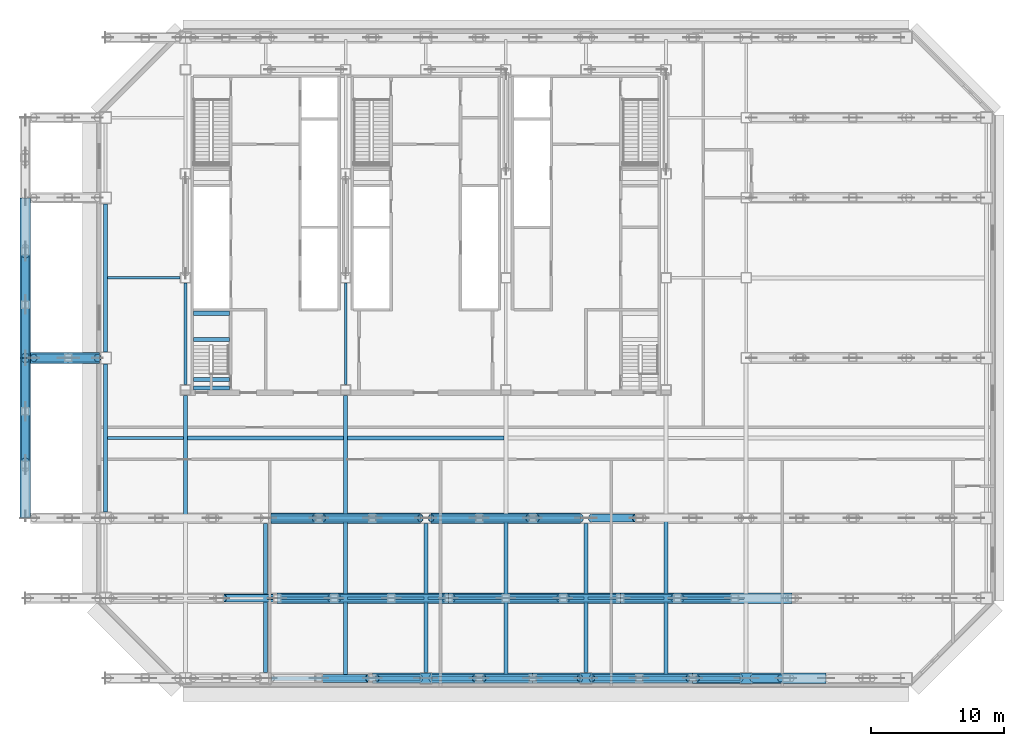
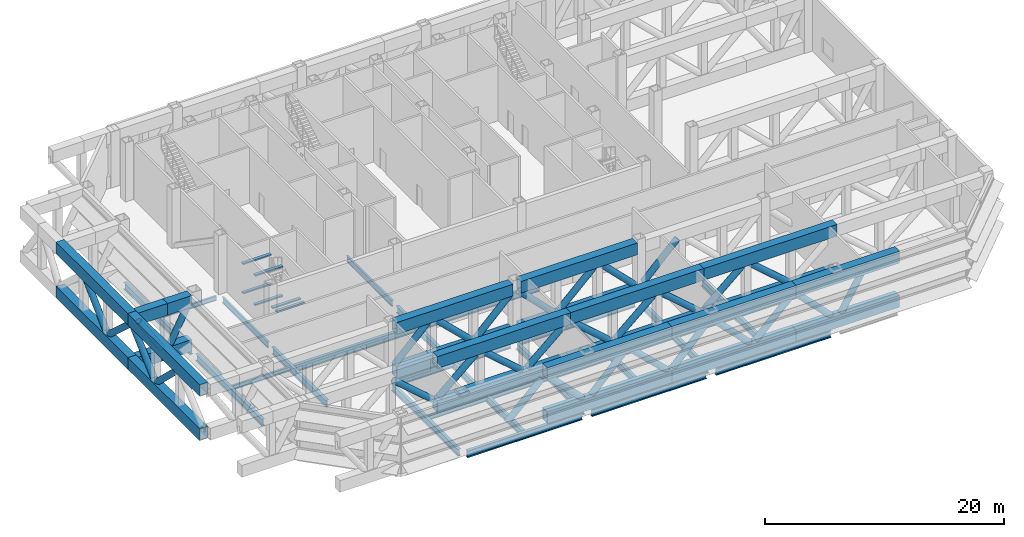
# One storey, part 2 of 17: 56 beams, 31 members.
"""IFC4 building model written with IfcOpenShell, lengths in metres."""

import ifcopenshell
import ifcopenshell.guid

model = None  # the IFC model being written
_history = None  # IfcOwnerHistory: only IFC2X3 demands one
_inside = {}  # id of a spatial element -> (the spatial element, [elements in it])
_under = {}  # id of a project, library or spatial element -> (it, [spatial elements below it])
_declared = {}  # id of a project -> (the project, [libraries it declares])
_typed = {}  # id of a type object -> (the type object, [elements of that type])
_made_of = {}  # id of a material, layer set ... -> (it, [elements and type objects made of it])


def new_model(schema):
    """Start an empty IFC model of exactly this schema.

    Asked for "IFC4X3", IfcOpenShell would pick the latest addendum, in which some entities
    have other attributes; the version numbers below select the first issue.
    IFC2X3 requires an IfcOwnerHistory on every rooted entity: one is made here for all.
    """
    global model, _history
    if schema == "IFC4X3":
        model = ifcopenshell.file(schema_version=(4, 3, 0, 0))
    else:
        model = ifcopenshell.file(schema=schema)
    _inside.clear()
    _under.clear()
    _declared.clear()
    _typed.clear()
    _made_of.clear()
    _history = None
    if model.schema == "IFC2X3":
        org = make("IfcOrganization", Name="unknown")
        user = make(
            "IfcPersonAndOrganization",
            ThePerson=make("IfcPerson", FamilyName="unknown"),
            TheOrganization=org,
        )
        app = make(
            "IfcApplication",
            ApplicationDeveloper=org,
            Version="unknown",
            ApplicationFullName="unknown",
            ApplicationIdentifier="unknown",
        )
        _history = make(
            "IfcOwnerHistory",
            OwningUser=user,
            OwningApplication=app,
            ChangeAction="ADDED",
            CreationDate=0,
        )
    return model


def make(cls, **values):
    """One entity of the class cls with the attributes given. An attribute that is None is left unset."""
    return model.create_entity(
        cls, **{name: value for name, value in values.items() if value is not None}
    )


def rooted(cls, **values):
    """An entity with a GlobalId (a new one), such as an element, a storey or a relation."""
    return make(cls, GlobalId=ifcopenshell.guid.new(), OwnerHistory=_history, **values)


def si_unit(unit_type, name, prefix=None):
    """IfcSIUnit, for example si_unit("LENGTHUNIT", "METRE", prefix="MILLI")."""
    return make("IfcSIUnit", UnitType=unit_type, Prefix=prefix, Name=name)


def assignment(units):
    """IfcUnitAssignment: the units of a project."""
    return None if units is None else make("IfcUnitAssignment", Units=units)


def point(xyz):
    """IfcCartesianPoint."""
    return None if xyz is None else make("IfcCartesianPoint", Coordinates=xyz)


def direction(xyz):
    """IfcDirection."""
    return None if xyz is None else make("IfcDirection", DirectionRatios=xyz)


def frame(location, z_axis=None, x_axis=None):
    """IfcAxis2Placement3D, a coordinate frame: its origin and axes. An axis left out is left unset."""
    return make(
        "IfcAxis2Placement3D",
        Location=point(location),
        Axis=direction(z_axis),
        RefDirection=direction(x_axis),
    )


def frame_2d(location, x_axis=None):
    """IfcAxis2Placement2D, a coordinate frame in the plane: its origin and x axis."""
    return make(
        "IfcAxis2Placement2D", Location=point(location), RefDirection=direction(x_axis)
    )


def origin():
    """The frame at (0, 0, 0) with its axes left unset."""
    return frame((0.0, 0.0, 0.0))


def origin_2d():
    """The frame at (0, 0) in the plane with its x axis left unset."""
    return frame_2d((0.0, 0.0))


def place(relative_to, where):
    """IfcLocalPlacement: puts the frame where relative to a parent placement (None: the world)."""
    return make(
        "IfcLocalPlacement", PlacementRelTo=relative_to, RelativePlacement=where
    )


def context(
    kind, dimensions, precision=None, world=None, true_north=None, identifier=None
):
    """IfcGeometricRepresentationContext, for example the 3D "Model" context."""
    return make(
        "IfcGeometricRepresentationContext",
        ContextIdentifier=identifier,
        ContextType=kind,
        CoordinateSpaceDimension=dimensions,
        Precision=precision,
        WorldCoordinateSystem=world,
        TrueNorth=true_north,
    )


def subcontext(parent, identifier, kind, view, scale=None):
    """IfcGeometricRepresentationSubContext, for example "Body" below "Model"."""
    return make(
        "IfcGeometricRepresentationSubContext",
        ContextIdentifier=identifier,
        ContextType=kind,
        ParentContext=parent,
        TargetScale=scale,
        TargetView=view,
    )


def project(units=None, contexts=None):
    """IfcProject with its units and contexts."""
    return rooted(
        "IfcProject",
        Name="project",
        RepresentationContexts=contexts,
        UnitsInContext=assignment(units),
    )


def spatial(cls, under=None, at=None, **own):
    """A site, building, storey or space (cls), placed at a placement, below another one or the project."""
    s = rooted(cls, ObjectPlacement=at, **own)
    if under is not None:
        _under.setdefault(under.id(), (under, []))[1].append(s)
    return s


def profile(cls, at=None, kind="AREA", **sizes):
    """A parametric profile (cls). Its sizes go by their IFC names, for example OverallWidth=200.0."""
    return make(cls, ProfileType=kind, Position=at, **sizes)


def rectangle(**sizes):
    """IfcRectangleProfileDef."""
    return profile("IfcRectangleProfileDef", **sizes)


def hollow_rectangle(**sizes):
    """IfcRectangleHollowProfileDef."""
    return profile("IfcRectangleHollowProfileDef", **sizes)


def hollow_circle(**sizes):
    """IfcCircleHollowProfileDef."""
    return profile("IfcCircleHollowProfileDef", **sizes)


def i_section(**sizes):
    """IfcIShapeProfileDef."""
    return profile("IfcIShapeProfileDef", **sizes)


def extrude(swept, where, along, depth):
    """IfcExtrudedAreaSolid: the profile swept, set in the frame where, extruded along a direction by depth."""
    return make(
        "IfcExtrudedAreaSolid",
        SweptArea=swept,
        Position=where,
        ExtrudedDirection=direction(along),
        Depth=depth,
    )


def shape(context_of_items, identifier, shape_type, items):
    """IfcShapeRepresentation: the items that make up one representation, for example the "Body"."""
    return make(
        "IfcShapeRepresentation",
        ContextOfItems=context_of_items,
        RepresentationIdentifier=identifier,
        RepresentationType=shape_type,
        Items=items,
    )


def material(Name=None, Category=None):
    """IfcMaterial."""
    return make("IfcMaterial", Name=Name, Category=Category)


def material_profile(
    of_material, cross_section, Name=None, Category=None, Priority=None
):
    """IfcMaterialProfile: a cross section and its material."""
    return make(
        "IfcMaterialProfile",
        Name=Name,
        Material=of_material,
        Profile=cross_section,
        Priority=Priority,
        Category=Category,
    )


def profile_set(profiles, Name=None, composite=None):
    """IfcMaterialProfileSet."""
    return make(
        "IfcMaterialProfileSet",
        Name=Name,
        MaterialProfiles=profiles,
        CompositeProfile=composite,
    )


def made_of(thing, what):
    """Note that an element or type object is made of a material, layer set ...; save() writes the relation."""
    if what is not None:
        _made_of.setdefault(what.id(), (what, []))[1].append(thing)
    return thing


def type_object(cls, material=None, **own):
    """A type object (cls), such as IfcWallType, which elements share."""
    return made_of(rooted(cls, **own), material)


def element(
    cls,
    number,
    at=None,
    inside=None,
    cuts=None,
    type_object=None,
    material=None,
    context=None,
    identifier="Body",
    shape_type=None,
    held_by="IfcProductDefinitionShape",
    body=None,
    shapes=None,
    **own,
):
    """One element of the class cls, such as IfcWall. Its Tag is "e" and its number.

    at: its placement. inside: the storey or other place that contains it. cuts: it is an
    opening in that element (IfcRelVoidsElement). A single representation is given by context,
    identifier, shape_type and body (its items); several are given by shapes. held_by: the class
    of the entity that holds the representations. save() writes the other relations.
    """
    e = rooted(cls, Tag="e%d" % number, ObjectPlacement=at, **own)
    if body is not None:
        shapes = [shape(context, identifier, shape_type, body)]
    if shapes is not None:
        e.Representation = make(held_by, Representations=shapes)
    if inside is not None:
        _inside.setdefault(inside.id(), (inside, []))[1].append(e)
    if cuts is not None:
        rooted(
            "IfcRelVoidsElement", RelatingBuildingElement=cuts, RelatedOpeningElement=e
        )
    if type_object is not None:
        _typed.setdefault(type_object.id(), (type_object, []))[1].append(e)
    return made_of(e, material)


def aggregate(whole, parts):
    """IfcRelAggregates: a whole, such as a stair, and the parts it consists of."""
    return rooted("IfcRelAggregates", RelatingObject=whole, RelatedObjects=parts)


def save(model, path):
    """Write the relations noted so far, then the file.

    IfcRelAggregates (storeys below a building ...), IfcRelContainedInSpatialStructure (elements
    in a storey), IfcRelDefinesByType, IfcRelAssociatesMaterial and IfcRelDeclares: one each for
    every whole, place, type object, material and project.
    """
    for whole, parts in _under.values():
        aggregate(whole, parts)
    for where, things in _inside.values():
        rooted(
            "IfcRelContainedInSpatialStructure",
            RelatedElements=things,
            RelatingStructure=where,
        )
    for kind, things in _typed.values():
        rooted("IfcRelDefinesByType", RelatedObjects=things, RelatingType=kind)
    for what, things in _made_of.values():
        rooted("IfcRelAssociatesMaterial", RelatedObjects=things, RelatingMaterial=what)
    for by, libraries in _declared.values():
        rooted("IfcRelDeclares", RelatingContext=by, RelatedDefinitions=libraries)
    model.write(path)


model = new_model("IFC4")

# Units and contexts
model_context = context("Model", 3, precision=1e-05, world=origin(), true_north=direction((0.0, 1.0)))
body_context = subcontext(model_context, "Body", "Model", "MODEL_VIEW")
ifc_project = project(units=[si_unit("LENGTHUNIT", "METRE"), si_unit("AREAUNIT", "SQUARE_METRE"), si_unit("VOLUMEUNIT", "CUBIC_METRE"), si_unit("PLANEANGLEUNIT", "RADIAN"), si_unit("MASSUNIT", "GRAM", prefix="KILO")], contexts=[model_context])

# Site, building, storey
site_placement = place(None, origin())
site = spatial("IfcSite", under=ifc_project, at=site_placement, CompositionType="ELEMENT")
building_placement = place(site_placement, origin())
building = spatial("IfcBuilding", under=site, at=building_placement, Name="Sorahane Residences", CompositionType="ELEMENT")
storey_placement = place(building_placement, frame((0.0, 0.0, 90.199951171875)))
storey = spatial("IfcBuildingStorey", under=building, at=storey_placement, Name="L19", CompositionType="ELEMENT", Elevation=90.199951171875)

# Beams
ifc_material_1 = material(Name="Concrete C40", Category="concrete")
ifc_material_profile_1 = material_profile(ifc_material_1, rectangle(XDim=0.300048828125, YDim=0.139892578125, at=origin_2d()), Name="300x140")
ifc_profile_set_1 = profile_set([ifc_material_profile_1], Name="Concrete C40")
beam_type_1 = type_object("IfcBeamType", Name="RC landing beam 300 x 140 Concrete C40", PredefinedType="BEAM", material=ifc_profile_set_1)
for number, where, z_axis, x_axis, name in (
    (1, (6.60009765625, 25.3798828125, 1.22998046875), (1.0, 0.0, 0.0), (0.0, 1.0, 0.0), "Landing beam"),
    (2, (6.60009765625, 27.35009765625, 1.22998046875), (1.0, 0.0, 0.0), (0.0, 1.0, 0.0), "Landing beam"),
    (3, (6.60009765625, 21.75, 2.72998046875), (1.0, 0.0, 0.0), (0.0, 1.0, 0.0), "Landing beam"),
    (4, (6.60009765625, 22.39990234375, 2.72998046875), (1.0, 0.0, 0.0), (0.0, 1.0, 0.0), "Landing beam"),
    (5, (6.60009765625, 25.3798828125, 4.22998046875), (1.0, 0.0, 0.0), (0.0, 1.0, 0.0), "Landing beam"),
    (6, (6.60009765625, 27.35009765625, 4.22998046875), (1.0, 0.0, 0.0), (0.0, 1.0, 0.0), "Landing beam"),
):
    element("IfcBeam", number, at=place(storey_placement, frame(where, z_axis=z_axis, x_axis=x_axis)), inside=storey, type_object=beam_type_1, Name=name, PredefinedType="BEAM", context=body_context, shape_type="SweptSolid", body=[
        extrude(rectangle(XDim=0.300048828125, YDim=0.139892578125, at=origin_2d()), origin(), (0.0, 0.0, 1.0), 2.699951171875),
    ])
ifc_material_2 = material(Name="Steel Q355B", Category="steel")
ifc_material_profile_2 = material_profile(ifc_material_2, i_section(OverallWidth=0.199951171875, OverallDepth=0.449951171875, WebThickness=0.009033203125, FlangeThickness=0.013916015625, FilletRadius=0.02001953125, at=origin_2d()), Name="HN 450x200x9x14")
ifc_profile_set_2 = profile_set([ifc_material_profile_2], Name="Steel Q355B")
beam_type_2 = type_object("IfcBeamType", Name="Steel floor beam HN 450x200x9x14 Q355B", PredefinedType="BEAM", material=ifc_profile_set_2)
for number, where, z_axis, x_axis, name in (
    (7, (12.14990234375, 6.0, -0.52490234375), (1.0, 0.0, 0.0), (0.0, 1.0, 0.0), "Beam L19 063"),
    (8, (18.14990234375, 6.0, -0.52490234375), (1.0, 0.0, 0.0), (0.0, 1.0, 0.0), "Beam L19 064"),
    (9, (24.14990234375, 6.0, -0.52490234375), (1.0, 0.0, 0.0), (0.0, 1.0, 0.0), "Beam L19 065"),
    (10, (30.14990234375, 6.0, -0.52490234375), (1.0, 0.0, 0.0), (0.0, 1.0, 0.0), "Beam L19 066"),
    (11, (36.14990234375, 6.0, -0.52490234375), (1.0, 0.0, 0.0), (0.0, 1.0, 0.0), "Beam L19 067"),
    (12, (42.14990234375, 6.0, -0.52490234375), (1.0, 0.0, 0.0), (0.0, 1.0, 0.0), "Beam L19 068"),
    (13, (0.14990234375, 18.0, -0.52490234375), (1.0, 0.0, 0.0), (0.0, 1.0, 0.0), "Beam L19 070"),
):
    element("IfcBeam", number, at=place(storey_placement, frame(where, z_axis=z_axis, x_axis=x_axis)), inside=storey, type_object=beam_type_2, Name=name, PredefinedType="BEAM", context=body_context, shape_type="SweptSolid", body=[
        extrude(i_section(OverallWidth=0.199951171875, OverallDepth=0.449951171875, WebThickness=0.009033203125, FlangeThickness=0.013916015625, FilletRadius=0.02001953125, at=origin_2d()), origin(), (0.0, 0.0, 1.0), 5.7001953125),
    ])
beam_1_placement = place(storey_placement, frame((0.14990234375, 30.0, -0.52490234375), z_axis=(1.0, 0.0, 0.0), x_axis=(0.0, 1.0, 0.0)))
element("IfcBeam", 14, at=beam_1_placement, inside=storey, type_object=beam_type_2, Name="Beam L19 076", PredefinedType="BEAM", context=body_context, shape_type="SweptSolid", body=[
    extrude(i_section(OverallWidth=0.199951171875, OverallDepth=0.449951171875, WebThickness=0.009033203125, FlangeThickness=0.013916015625, FilletRadius=0.02001953125, at=origin_2d()), origin(), (0.0, 0.0, 1.0), 5.4501953125),
])
ifc_material_3 = material(Name="Steel Q355B", Category="steel")
ifc_material_profile_3 = material_profile(ifc_material_3, i_section(OverallWidth=0.199951171875, OverallDepth=0.60009765625, WebThickness=0.010986328125, FlangeThickness=0.01708984375, FilletRadius=0.02392578125, at=origin_2d()), Name="HN 600x200x11x17")
ifc_profile_set_3 = profile_set([ifc_material_profile_3], Name="Steel Q355B")
beam_type_3 = type_object("IfcBeamType", Name="Steel floor beam HN 600x200x11x17 Q355B", PredefinedType="BEAM", material=ifc_profile_set_3)
for number, where, z_axis, x_axis, name in (
    (15, (6.0, 22.0, -0.599853515625), (0.0, 1.0, 0.0), (-1.0, 0.0, 0.0), "Beam L19 023"),
    (16, (18.0, 22.0, -0.599853515625), (0.0, 1.0, 0.0), (-1.0, 0.0, 0.0), "Beam L19 031"),
):
    element("IfcBeam", number, at=place(storey_placement, frame(where, z_axis=z_axis, x_axis=x_axis)), inside=storey, type_object=beam_type_3, Name=name, PredefinedType="BEAM", context=body_context, shape_type="SweptSolid", body=[
        extrude(i_section(OverallWidth=0.199951171875, OverallDepth=0.60009765625, WebThickness=0.010986328125, FlangeThickness=0.01708984375, FilletRadius=0.02392578125, at=origin_2d()), origin(), (0.0, 0.0, 1.0), 7.60009765625),
    ])
ifc_material_4 = material(Name="Steel Q355B", Category="steel")
ifc_material_profile_4 = material_profile(ifc_material_4, i_section(OverallWidth=0.300048828125, OverallDepth=0.699951171875, WebThickness=0.012939453125, FlangeThickness=0.02392578125, FilletRadius=0.028076171875, at=origin_2d()), Name="HN 700x300x13x24")
ifc_profile_set_4 = profile_set([ifc_material_profile_4], Name="Steel Q355B")
beam_type_4 = type_object("IfcBeamType", Name="Steel floor beam HN 700x300x13x24 Q355B", PredefinedType="BEAM", material=ifc_profile_set_4)
for number, where, z_axis, x_axis, name in (
    (17, (12.449951171875, 0.0, -0.64990234375), (1.0, 0.0, 0.0), (0.0, 1.0, 0.0), "Beam L19 001"),
    (18, (24.449951171875, 0.0, -0.64990234375), (1.0, 0.0, 0.0), (0.0, 1.0, 0.0), "Beam L19 002"),
    (19, (36.449951171875, 0.0, -0.64990234375), (1.0, 0.0, 0.0), (0.0, 1.0, 0.0), "Beam L19 003"),
):
    element("IfcBeam", number, at=place(storey_placement, frame(where, z_axis=z_axis, x_axis=x_axis)), inside=storey, type_object=beam_type_4, Name=name, PredefinedType="BEAM", context=body_context, shape_type="SweptSolid", body=[
        extrude(i_section(OverallWidth=0.300048828125, OverallDepth=0.699951171875, WebThickness=0.012939453125, FlangeThickness=0.02392578125, FilletRadius=0.028076171875, at=origin_2d()), origin(), (0.0, 0.0, 1.0), 11.10009765625),
    ])
for number, where, z_axis, x_axis, name in (
    (20, (12.39990234375, 12.0, -0.64990234375), (1.0, 0.0, 0.0), (0.0, 1.0, 0.0), "Beam L19 006"),
    (21, (24.39990234375, 12.0, -0.64990234375), (1.0, 0.0, 0.0), (0.0, 1.0, 0.0), "Beam L19 007"),
):
    element("IfcBeam", number, at=place(storey_placement, frame(where, z_axis=z_axis, x_axis=x_axis)), inside=storey, type_object=beam_type_4, Name=name, PredefinedType="BEAM", context=body_context, shape_type="SweptSolid", body=[
        extrude(i_section(OverallWidth=0.300048828125, OverallDepth=0.699951171875, WebThickness=0.012939453125, FlangeThickness=0.02392578125, FilletRadius=0.028076171875, at=origin_2d()), origin(), (0.0, 0.0, 1.0), 11.2001953125),
    ])
for number, where, z_axis, x_axis, name in (
    (22, (0.0, 12.449951171875, -0.64990234375), (0.0, 1.0, 0.0), (-1.0, 0.0, 0.0), "Beam L19 018"),
    (23, (0.0, 24.449951171875, -0.64990234375), (0.0, 1.0, 0.0), (-1.0, 0.0, 0.0), "Beam L19 019"),
):
    element("IfcBeam", number, at=place(storey_placement, frame(where, z_axis=z_axis, x_axis=x_axis)), inside=storey, type_object=beam_type_4, Name=name, PredefinedType="BEAM", context=body_context, shape_type="SweptSolid", body=[
        extrude(i_section(OverallWidth=0.300048828125, OverallDepth=0.699951171875, WebThickness=0.012939453125, FlangeThickness=0.02392578125, FilletRadius=0.028076171875, at=origin_2d()), origin(), (0.0, 0.0, 1.0), 11.10009765625),
    ])
beam_2_placement = place(storey_placement, frame((6.0, 12.14990234375, -0.64990234375), z_axis=(0.0, 1.0, 0.0), x_axis=(-1.0, 0.0, 0.0)))
element("IfcBeam", 24, at=beam_2_placement, inside=storey, type_object=beam_type_4, Name="Beam L19 022", PredefinedType="BEAM", context=body_context, shape_type="SweptSolid", body=[
    extrude(i_section(OverallWidth=0.300048828125, OverallDepth=0.699951171875, WebThickness=0.012939453125, FlangeThickness=0.02392578125, FilletRadius=0.028076171875, at=origin_2d()), origin(), (0.0, 0.0, 1.0), 9.050048828125),
])
beam_3_placement = place(storey_placement, frame((12.0, 0.449951171875, -0.64990234375), z_axis=(0.0, 1.0, 0.0), x_axis=(-1.0, 0.0, 0.0)))
element("IfcBeam", 25, at=beam_3_placement, inside=storey, type_object=beam_type_4, Name="Beam L19 027", PredefinedType="BEAM", context=body_context, shape_type="SweptSolid", body=[
    extrude(i_section(OverallWidth=0.300048828125, OverallDepth=0.699951171875, WebThickness=0.012939453125, FlangeThickness=0.02392578125, FilletRadius=0.028076171875, at=origin_2d()), origin(), (0.0, 0.0, 1.0), 11.150146484375),
])
beam_4_placement = place(storey_placement, frame((18.0, 0.14990234375, -0.64990234375), z_axis=(0.0, 1.0, 0.0), x_axis=(-1.0, 0.0, 0.0)))
element("IfcBeam", 26, at=beam_4_placement, inside=storey, type_object=beam_type_4, Name="Beam L19 029", PredefinedType="BEAM", context=body_context, shape_type="SweptSolid", body=[
    extrude(i_section(OverallWidth=0.300048828125, OverallDepth=0.699951171875, WebThickness=0.012939453125, FlangeThickness=0.02392578125, FilletRadius=0.028076171875, at=origin_2d()), origin(), (0.0, 0.0, 1.0), 11.7001953125),
])
beam_5_placement = place(storey_placement, frame((18.0, 12.14990234375, -0.64990234375), z_axis=(0.0, 1.0, 0.0), x_axis=(-1.0, 0.0, 0.0)))
element("IfcBeam", 27, at=beam_5_placement, inside=storey, type_object=beam_type_4, Name="Beam L19 030", PredefinedType="BEAM", context=body_context, shape_type="SweptSolid", body=[
    extrude(i_section(OverallWidth=0.300048828125, OverallDepth=0.699951171875, WebThickness=0.012939453125, FlangeThickness=0.02392578125, FilletRadius=0.028076171875, at=origin_2d()), origin(), (0.0, 0.0, 1.0), 9.050048828125),
])
beam_6_placement = place(storey_placement, frame((24.0, 0.449951171875, -0.64990234375), z_axis=(0.0, 1.0, 0.0), x_axis=(-1.0, 0.0, 0.0)))
element("IfcBeam", 28, at=beam_6_placement, inside=storey, type_object=beam_type_4, Name="Beam L19 035", PredefinedType="BEAM", context=body_context, shape_type="SweptSolid", body=[
    extrude(i_section(OverallWidth=0.300048828125, OverallDepth=0.699951171875, WebThickness=0.012939453125, FlangeThickness=0.02392578125, FilletRadius=0.028076171875, at=origin_2d()), origin(), (0.0, 0.0, 1.0), 11.150146484375),
])
beam_7_placement = place(storey_placement, frame((30.0, 0.14990234375, -0.64990234375), z_axis=(0.0, 1.0, 0.0), x_axis=(-1.0, 0.0, 0.0)))
element("IfcBeam", 29, at=beam_7_placement, inside=storey, type_object=beam_type_4, Name="Beam L19 037", PredefinedType="BEAM", context=body_context, shape_type="SweptSolid", body=[
    extrude(i_section(OverallWidth=0.300048828125, OverallDepth=0.699951171875, WebThickness=0.012939453125, FlangeThickness=0.02392578125, FilletRadius=0.028076171875, at=origin_2d()), origin(), (0.0, 0.0, 1.0), 11.7001953125),
])
beam_8_placement = place(storey_placement, frame((36.0, 0.449951171875, -0.64990234375), z_axis=(0.0, 1.0, 0.0), x_axis=(-1.0, 0.0, 0.0)))
element("IfcBeam", 30, at=beam_8_placement, inside=storey, type_object=beam_type_4, Name="Beam L19 043", PredefinedType="BEAM", context=body_context, shape_type="SweptSolid", body=[
    extrude(i_section(OverallWidth=0.300048828125, OverallDepth=0.699951171875, WebThickness=0.012939453125, FlangeThickness=0.02392578125, FilletRadius=0.028076171875, at=origin_2d()), origin(), (0.0, 0.0, 1.0), 11.150146484375),
])
for number, where, z_axis, x_axis, name in (
    (31, (42.0, 0.14990234375, -0.64990234375), (0.0, 1.0, 0.0), (-1.0, 0.0, 0.0), "Beam L19 045"),
    (32, (6.14990234375, 18.0, -0.64990234375), (1.0, 0.0, 0.0), (0.0, 1.0, 0.0), "Beam L19 071"),
    (33, (18.14990234375, 18.0, -0.64990234375), (1.0, 0.0, 0.0), (0.0, 1.0, 0.0), "Beam L19 072"),
):
    element("IfcBeam", number, at=place(storey_placement, frame(where, z_axis=z_axis, x_axis=x_axis)), inside=storey, type_object=beam_type_4, Name=name, PredefinedType="BEAM", context=body_context, shape_type="SweptSolid", body=[
        extrude(i_section(OverallWidth=0.300048828125, OverallDepth=0.699951171875, WebThickness=0.012939453125, FlangeThickness=0.02392578125, FilletRadius=0.028076171875, at=origin_2d()), origin(), (0.0, 0.0, 1.0), 11.7001953125),
    ])
ifc_material_5 = material(Name="Steel Q420GJ", Category="steel")
ifc_material_profile_5 = material_profile(ifc_material_5, hollow_rectangle(XDim=0.800048828125, YDim=1.199951171875, WallThickness=0.06005859375, at=origin_2d()), Name="BOX 1200x800x60")
ifc_profile_set_5 = profile_set([ifc_material_profile_5], Name="Steel Q420GJ")
beam_type_5 = type_object("IfcBeamType", Name="Truss chord BOX 1200x800x60 Q420GJ", PredefinedType="BEAM", material=ifc_profile_set_5)
for number, where, z_axis, x_axis, name in (
    (34, (20.0, 0.0, 0.60009765625), (1.0, 0.0, 0.0), (0.0, 1.0, 0.0), "Truss chord L19"),
    (35, (32.0, 0.0, 0.60009765625), (1.0, 0.0, 0.0), (0.0, 1.0, 0.0), "Truss chord L19"),
):
    element("IfcBeam", number, at=place(storey_placement, frame(where, z_axis=z_axis, x_axis=x_axis)), inside=storey, type_object=beam_type_5, Name=name, PredefinedType="BEAM", context=body_context, shape_type="SweptSolid", body=[
        extrude(hollow_rectangle(XDim=0.800048828125, YDim=1.199951171875, WallThickness=0.06005859375, at=origin_2d()), origin(), (0.0, 0.0, 1.0), 12.0),
    ])
beam_9_placement = place(storey_placement, frame((44.0, 0.0, 0.60009765625), z_axis=(1.0, 0.0, 0.0), x_axis=(0.0, 1.0, 0.0)))
element("IfcBeam", 36, at=beam_9_placement, inside=storey, type_object=beam_type_5, Name="Truss chord L19", PredefinedType="BEAM", context=body_context, shape_type="SweptSolid", body=[
    extrude(hollow_rectangle(XDim=0.800048828125, YDim=1.199951171875, WallThickness=0.06005859375, at=origin_2d()), origin(), (0.0, 0.0, 1.0), 10.0),
])
for number, where, z_axis, x_axis, name in (
    (37, (20.0, 0.0, 5.10009765625), (1.0, 0.0, 0.0), (0.0, 1.0, 0.0), "Truss chord L19"),
    (38, (32.0, 0.0, 5.10009765625), (1.0, 0.0, 0.0), (0.0, 1.0, 0.0), "Truss chord L19"),
):
    element("IfcBeam", number, at=place(storey_placement, frame(where, z_axis=z_axis, x_axis=x_axis)), inside=storey, type_object=beam_type_5, Name=name, PredefinedType="BEAM", context=body_context, shape_type="SweptSolid", body=[
        extrude(hollow_rectangle(XDim=0.800048828125, YDim=1.199951171875, WallThickness=0.06005859375, at=origin_2d()), origin(), (0.0, 0.0, 1.0), 12.0),
    ])
beam_10_placement = place(storey_placement, frame((44.0, 0.0, 5.10009765625), z_axis=(1.0, 0.0, 0.0), x_axis=(0.0, 1.0, 0.0)))
element("IfcBeam", 39, at=beam_10_placement, inside=storey, type_object=beam_type_5, Name="Truss chord L19", PredefinedType="BEAM", context=body_context, shape_type="SweptSolid", body=[
    extrude(hollow_rectangle(XDim=0.800048828125, YDim=1.199951171875, WallThickness=0.06005859375, at=origin_2d()), origin(), (0.0, 0.0, 1.0), 10.0),
])
for number, where, z_axis, x_axis, name in (
    (40, (12.857177734375, 6.0, 0.60009765625), (1.0, 0.0, 0.0), (0.0, 1.0, 0.0), "Truss chord L19"),
    (41, (25.71435546875, 6.0, 0.60009765625), (1.0, 0.0, 0.0), (0.0, 1.0, 0.0), "Truss chord L19"),
):
    element("IfcBeam", number, at=place(storey_placement, frame(where, z_axis=z_axis, x_axis=x_axis)), inside=storey, type_object=beam_type_5, Name=name, PredefinedType="BEAM", context=body_context, shape_type="SweptSolid", body=[
        extrude(hollow_rectangle(XDim=0.800048828125, YDim=1.199951171875, WallThickness=0.06005859375, at=origin_2d()), origin(), (0.0, 0.0, 1.0), 12.857177734375),
    ])
beam_11_placement = place(storey_placement, frame((38.571533203125, 6.0, 0.60009765625), z_axis=(1.0, 0.0, 0.0), x_axis=(0.0, 1.0, 0.0)))
element("IfcBeam", 42, at=beam_11_placement, inside=storey, type_object=beam_type_5, Name="Truss chord L19", PredefinedType="BEAM", context=body_context, shape_type="SweptSolid", body=[
    extrude(hollow_rectangle(XDim=0.800048828125, YDim=1.199951171875, WallThickness=0.06005859375, at=origin_2d()), origin(), (0.0, 0.0, 1.0), 12.85693359375),
])
for number, where, z_axis, x_axis, name in (
    (43, (12.857177734375, 6.0, 5.10009765625), (1.0, 0.0, 0.0), (0.0, 1.0, 0.0), "Truss chord L19"),
    (44, (25.71435546875, 6.0, 5.10009765625), (1.0, 0.0, 0.0), (0.0, 1.0, 0.0), "Truss chord L19"),
):
    element("IfcBeam", number, at=place(storey_placement, frame(where, z_axis=z_axis, x_axis=x_axis)), inside=storey, type_object=beam_type_5, Name=name, PredefinedType="BEAM", context=body_context, shape_type="SweptSolid", body=[
        extrude(hollow_rectangle(XDim=0.800048828125, YDim=1.199951171875, WallThickness=0.06005859375, at=origin_2d()), origin(), (0.0, 0.0, 1.0), 12.857177734375),
    ])
beam_12_placement = place(storey_placement, frame((38.571533203125, 6.0, 5.10009765625), z_axis=(1.0, 0.0, 0.0), x_axis=(0.0, 1.0, 0.0)))
element("IfcBeam", 45, at=beam_12_placement, inside=storey, type_object=beam_type_5, Name="Truss chord L19", PredefinedType="BEAM", context=body_context, shape_type="SweptSolid", body=[
    extrude(hollow_rectangle(XDim=0.800048828125, YDim=1.199951171875, WallThickness=0.06005859375, at=origin_2d()), origin(), (0.0, 0.0, 1.0), 12.85693359375),
])
for number, where, z_axis, x_axis, name in (
    (46, (12.39990234375, 12.0, 0.60009765625), (1.0, 0.0, 0.0), (0.0, 1.0, 0.0), "Truss chord L19"),
    (47, (24.39990234375, 12.0, 0.60009765625), (1.0, 0.0, 0.0), (0.0, 1.0, 0.0), "Truss chord L19"),
    (48, (12.39990234375, 12.0, 5.10009765625), (1.0, 0.0, 0.0), (0.0, 1.0, 0.0), "Truss chord L19"),
    (49, (24.39990234375, 12.0, 5.10009765625), (1.0, 0.0, 0.0), (0.0, 1.0, 0.0), "Truss chord L19"),
):
    element("IfcBeam", number, at=place(storey_placement, frame(where, z_axis=z_axis, x_axis=x_axis)), inside=storey, type_object=beam_type_5, Name=name, PredefinedType="BEAM", context=body_context, shape_type="SweptSolid", body=[
        extrude(hollow_rectangle(XDim=0.800048828125, YDim=1.199951171875, WallThickness=0.06005859375, at=origin_2d()), origin(), (0.0, 0.0, 1.0), 11.2001953125),
    ])
beam_13_placement = place(storey_placement, frame((-5.60009765625, 24.0, 0.60009765625), z_axis=(1.0, 0.0, 0.0), x_axis=(0.0, 1.0, 0.0)))
element("IfcBeam", 50, at=beam_13_placement, inside=storey, type_object=beam_type_5, Name="Truss chord L19", PredefinedType="BEAM", context=body_context, shape_type="SweptSolid", body=[
    extrude(hollow_rectangle(XDim=0.800048828125, YDim=1.199951171875, WallThickness=0.06005859375, at=origin_2d()), origin(), (0.0, 0.0, 1.0), 5.150146484375),
])
beam_14_placement = place(storey_placement, frame((-5.60009765625, 24.0, 5.10009765625), z_axis=(1.0, 0.0, 0.0), x_axis=(0.0, 1.0, 0.0)))
element("IfcBeam", 51, at=beam_14_placement, inside=storey, type_object=beam_type_5, Name="Truss chord L19", PredefinedType="BEAM", context=body_context, shape_type="SweptSolid", body=[
    extrude(hollow_rectangle(XDim=0.800048828125, YDim=1.199951171875, WallThickness=0.06005859375, at=origin_2d()), origin(), (0.0, 0.0, 1.0), 2.800048828125),
])
beam_15_placement = place(storey_placement, frame((-2.800048828125, 24.0, 5.10009765625), z_axis=(1.0, 0.0, 0.0), x_axis=(0.0, 1.0, 0.0)))
element("IfcBeam", 52, at=beam_15_placement, inside=storey, type_object=beam_type_5, Name="Truss chord L19", PredefinedType="BEAM", context=body_context, shape_type="SweptSolid", body=[
    extrude(hollow_rectangle(XDim=0.800048828125, YDim=1.199951171875, WallThickness=0.06005859375, at=origin_2d()), origin(), (0.0, 0.0, 1.0), 2.35009765625),
])
for number, where, z_axis, x_axis, name in (
    (53, (-6.0, 12.0, 0.60009765625), (0.0, 1.0, 0.0), (-1.0, 0.0, 0.0), "Truss chord L19"),
    (54, (-6.0, 24.0, 0.60009765625), (0.0, 1.0, 0.0), (-1.0, 0.0, 0.0), "Truss chord L19"),
    (55, (-6.0, 12.0, 5.10009765625), (0.0, 1.0, 0.0), (-1.0, 0.0, 0.0), "Truss chord L19"),
    (56, (-6.0, 24.0, 5.10009765625), (0.0, 1.0, 0.0), (-1.0, 0.0, 0.0), "Truss chord L19"),
):
    element("IfcBeam", number, at=place(storey_placement, frame(where, z_axis=z_axis, x_axis=x_axis)), inside=storey, type_object=beam_type_5, Name=name, PredefinedType="BEAM", context=body_context, shape_type="SweptSolid", body=[
        extrude(hollow_rectangle(XDim=0.800048828125, YDim=1.199951171875, WallThickness=0.06005859375, at=origin_2d()), origin(), (0.0, 0.0, 1.0), 12.0),
    ])

# Members
ifc_material_6 = material(Name="Steel Q420GJ", Category="steel")
ifc_material_profile_6 = material_profile(ifc_material_6, hollow_circle(Radius=0.300048828125, WallThickness=0.031982421875, at=origin_2d()), Name="CHS 600x32")
ifc_profile_set_6 = profile_set([ifc_material_profile_6], Name="Steel Q420GJ")
member_type = type_object("IfcMemberType", Name="Truss diagonal CHS 600x32 Q420GJ", PredefinedType="BRACE", material=ifc_profile_set_6)
member_1_placement = place(storey_placement, frame((16.300048828125, 0.0, 1.21435546875), z_axis=(0.72058444139, 0.0, 0.693367191917), x_axis=(0.0, 1.0, 0.0)))
element("IfcMember", 57, at=member_1_placement, inside=storey, type_object=member_type, Name="Truss diagonal L19", PredefinedType="BRACE", context=body_context, shape_type="SweptSolid", body=[
    extrude(hollow_circle(Radius=0.300048828125, WallThickness=0.031982421875, at=origin_2d()), origin(), (0.0, 0.0, 1.0), 4.71826171875),
])
for number, where, z_axis, x_axis, name in (
    (58, (20.300048828125, 0.0, 4.507568359375), (0.700077720458, 0.0, -0.714066653274), (0.0, 1.0, 0.0), "Truss diagonal L19"),
    (59, (24.449951171875, 0.0, 1.192626953125), (0.700077720458, 0.0, 0.714066653274), (0.0, 1.0, 0.0), "Truss diagonal L19"),
):
    element("IfcMember", number, at=place(storey_placement, frame(where, z_axis=z_axis, x_axis=x_axis)), inside=storey, type_object=member_type, Name=name, PredefinedType="BRACE", context=body_context, shape_type="SweptSolid", body=[
        extrude(hollow_circle(Radius=0.300048828125, WallThickness=0.031982421875, at=origin_2d()), origin(), (0.0, 0.0, 1.0), 4.642333984375),
    ])
member_2_placement = place(storey_placement, frame((28.300048828125, 0.0, 4.48583984375), z_axis=(0.72058444139, 0.0, -0.693367191917), x_axis=(0.0, 1.0, 0.0)))
element("IfcMember", 60, at=member_2_placement, inside=storey, type_object=member_type, Name="Truss diagonal L19", PredefinedType="BRACE", context=body_context, shape_type="SweptSolid", body=[
    extrude(hollow_circle(Radius=0.300048828125, WallThickness=0.031982421875, at=origin_2d()), origin(), (0.0, 0.0, 1.0), 4.71826171875),
])
for number, where, z_axis, x_axis, name in (
    (61, (32.300048828125, 0.0, 1.192626953125), (0.700077720458, 0.0, 0.714066653274), (0.0, 1.0, 0.0), "Truss diagonal L19"),
    (62, (36.449951171875, 0.0, 4.507568359375), (0.700077720458, 0.0, -0.714066653274), (0.0, 1.0, 0.0), "Truss diagonal L19"),
):
    element("IfcMember", number, at=place(storey_placement, frame(where, z_axis=z_axis, x_axis=x_axis)), inside=storey, type_object=member_type, Name=name, PredefinedType="BRACE", context=body_context, shape_type="SweptSolid", body=[
        extrude(hollow_circle(Radius=0.300048828125, WallThickness=0.031982421875, at=origin_2d()), origin(), (0.0, 0.0, 1.0), 4.642333984375),
    ])
member_3_placement = place(storey_placement, frame((40.300048828125, 0.0, 1.21435546875), z_axis=(0.72058444139, 0.0, 0.693367191917), x_axis=(0.0, 1.0, 0.0)))
element("IfcMember", 63, at=member_3_placement, inside=storey, type_object=member_type, Name="Truss diagonal L19", PredefinedType="BRACE", context=body_context, shape_type="SweptSolid", body=[
    extrude(hollow_circle(Radius=0.300048828125, WallThickness=0.031982421875, at=origin_2d()), origin(), (0.0, 0.0, 1.0), 4.71826171875),
])
member_4_placement = place(storey_placement, frame((44.300048828125, 0.0, 4.507568359375), z_axis=(0.700077720458, 0.0, -0.714066653274), x_axis=(0.0, 1.0, 0.0)))
element("IfcMember", 64, at=member_4_placement, inside=storey, type_object=member_type, Name="Truss diagonal L19", PredefinedType="BRACE", context=body_context, shape_type="SweptSolid", body=[
    extrude(hollow_circle(Radius=0.300048828125, WallThickness=0.031982421875, at=origin_2d()), origin(), (0.0, 0.0, 1.0), 4.642333984375),
])
member_5_placement = place(storey_placement, frame((48.5478515625, 0.0, 1.115478515625), z_axis=(0.509571647597, 0.0, 0.860428228248), x_axis=(0.0, 1.0, 0.0)))
element("IfcMember", 65, at=member_5_placement, inside=storey, type_object=member_type, Name="Truss diagonal L19", PredefinedType="BRACE", context=body_context, shape_type="SweptSolid", body=[
    extrude(hollow_circle(Radius=0.300048828125, WallThickness=0.031982421875, at=origin_2d()), origin(), (0.0, 0.0, 1.0), 4.03173828125),
])
member_6_placement = place(storey_placement, frame((8.871337890625, 6.0, 4.4501953125), z_axis=(0.755071561064, 0.0, -0.655642385506), x_axis=(0.0, 1.0, 0.0)))
element("IfcMember", 66, at=member_6_placement, inside=storey, type_object=member_type, Name="Truss diagonal L19", PredefinedType="BRACE", context=body_context, shape_type="SweptSolid", body=[
    extrude(hollow_circle(Radius=0.300048828125, WallThickness=0.031982421875, at=origin_2d()), origin(), (0.0, 0.0, 1.0), 4.88134765625),
])
member_7_placement = place(storey_placement, frame((13.1572265625, 6.0, 1.249755859375), z_axis=(0.755050060191, 0.0, 0.6556671462), x_axis=(0.0, 1.0, 0.0)))
element("IfcMember", 67, at=member_7_placement, inside=storey, type_object=member_type, Name="Truss diagonal L19", PredefinedType="BRACE", context=body_context, shape_type="SweptSolid", body=[
    extrude(hollow_circle(Radius=0.300048828125, WallThickness=0.031982421875, at=origin_2d()), origin(), (0.0, 0.0, 1.0), 4.881103515625),
])
for number, where, z_axis, x_axis, name in (
    (68, (17.44287109375, 6.0, 4.4501953125), (0.755071561064, 0.0, -0.655642385506), (0.0, 1.0, 0.0), "Truss diagonal L19"),
    (69, (21.728515625, 6.0, 1.249755859375), (0.755071561064, 0.0, 0.655642385506), (0.0, 1.0, 0.0), "Truss diagonal L19"),
):
    element("IfcMember", number, at=place(storey_placement, frame(where, z_axis=z_axis, x_axis=x_axis)), inside=storey, type_object=member_type, Name=name, PredefinedType="BRACE", context=body_context, shape_type="SweptSolid", body=[
        extrude(hollow_circle(Radius=0.300048828125, WallThickness=0.031982421875, at=origin_2d()), origin(), (0.0, 0.0, 1.0), 4.88134765625),
    ])
for number, where, z_axis, x_axis, name in (
    (70, (26.014404296875, 6.0, 4.4501953125), (0.755050060191, 0.0, -0.6556671462), (0.0, 1.0, 0.0), "Truss diagonal L19"),
    (71, (30.300048828125, 6.0, 1.249755859375), (0.755050060191, 0.0, 0.6556671462), (0.0, 1.0, 0.0), "Truss diagonal L19"),
):
    element("IfcMember", number, at=place(storey_placement, frame(where, z_axis=z_axis, x_axis=x_axis)), inside=storey, type_object=member_type, Name=name, PredefinedType="BRACE", context=body_context, shape_type="SweptSolid", body=[
        extrude(hollow_circle(Radius=0.300048828125, WallThickness=0.031982421875, at=origin_2d()), origin(), (0.0, 0.0, 1.0), 4.881103515625),
    ])
for number, where, z_axis, x_axis, name in (
    (72, (34.585693359375, 6.0, 4.4501953125), (0.755071561064, 0.0, -0.655642385506), (0.0, 1.0, 0.0), "Truss diagonal L19"),
    (73, (38.871337890625, 6.0, 1.249755859375), (0.755071561064, 0.0, 0.655642385506), (0.0, 1.0, 0.0), "Truss diagonal L19"),
):
    element("IfcMember", number, at=place(storey_placement, frame(where, z_axis=z_axis, x_axis=x_axis)), inside=storey, type_object=member_type, Name=name, PredefinedType="BRACE", context=body_context, shape_type="SweptSolid", body=[
        extrude(hollow_circle(Radius=0.300048828125, WallThickness=0.031982421875, at=origin_2d()), origin(), (0.0, 0.0, 1.0), 4.88134765625),
    ])
member_8_placement = place(storey_placement, frame((43.1572265625, 6.0, 4.4501953125), z_axis=(0.755050060191, 0.0, -0.6556671462), x_axis=(0.0, 1.0, 0.0)))
element("IfcMember", 74, at=member_8_placement, inside=storey, type_object=member_type, Name="Truss diagonal L19", PredefinedType="BRACE", context=body_context, shape_type="SweptSolid", body=[
    extrude(hollow_circle(Radius=0.300048828125, WallThickness=0.031982421875, at=origin_2d()), origin(), (0.0, 0.0, 1.0), 4.881103515625),
])
member_9_placement = place(storey_placement, frame((12.39990234375, 12.0, 1.199951171875), z_axis=(0.707106781187, 0.0, 0.707106781187), x_axis=(0.0, 1.0, 0.0)))
element("IfcMember", 75, at=member_9_placement, inside=storey, type_object=member_type, Name="Truss diagonal L19", PredefinedType="BRACE", context=body_context, shape_type="SweptSolid", body=[
    extrude(hollow_circle(Radius=0.300048828125, WallThickness=0.031982421875, at=origin_2d()), origin(), (0.0, 0.0, 1.0), 4.6669921875),
])
member_10_placement = place(storey_placement, frame((16.300048828125, 12.0, 4.48583984375), z_axis=(0.72058444139, 0.0, -0.693367191917), x_axis=(0.0, 1.0, 0.0)))
element("IfcMember", 76, at=member_10_placement, inside=storey, type_object=member_type, Name="Truss diagonal L19", PredefinedType="BRACE", context=body_context, shape_type="SweptSolid", body=[
    extrude(hollow_circle(Radius=0.300048828125, WallThickness=0.031982421875, at=origin_2d()), origin(), (0.0, 0.0, 1.0), 4.71826171875),
])
for number, where, z_axis, x_axis, name in (
    (77, (20.300048828125, 12.0, 1.199951171875), (0.707106781187, 0.0, 0.707106781187), (0.0, 1.0, 0.0), "Truss diagonal L19"),
    (78, (24.39990234375, 12.0, 4.5), (0.707106781187, 0.0, -0.707106781187), (0.0, 1.0, 0.0), "Truss diagonal L19"),
):
    element("IfcMember", number, at=place(storey_placement, frame(where, z_axis=z_axis, x_axis=x_axis)), inside=storey, type_object=member_type, Name=name, PredefinedType="BRACE", context=body_context, shape_type="SweptSolid", body=[
        extrude(hollow_circle(Radius=0.300048828125, WallThickness=0.031982421875, at=origin_2d()), origin(), (0.0, 0.0, 1.0), 4.6669921875),
    ])
member_11_placement = place(storey_placement, frame((28.300048828125, 12.0, 1.21435546875), z_axis=(0.72058444139, 0.0, 0.693367191917), x_axis=(0.0, 1.0, 0.0)))
element("IfcMember", 79, at=member_11_placement, inside=storey, type_object=member_type, Name="Truss diagonal L19", PredefinedType="BRACE", context=body_context, shape_type="SweptSolid", body=[
    extrude(hollow_circle(Radius=0.300048828125, WallThickness=0.031982421875, at=origin_2d()), origin(), (0.0, 0.0, 1.0), 4.71826171875),
])
for number, where, z_axis, x_axis, name in (
    (80, (32.300048828125, 12.0, 4.5), (0.707106781187, 0.0, -0.707106781187), (0.0, 1.0, 0.0), "Truss diagonal L19"),
    (81, (36.39990234375, 12.0, 1.199951171875), (0.707106781187, 0.0, 0.707106781187), (0.0, 1.0, 0.0), "Truss diagonal L19"),
):
    element("IfcMember", number, at=place(storey_placement, frame(where, z_axis=z_axis, x_axis=x_axis)), inside=storey, type_object=member_type, Name=name, PredefinedType="BRACE", context=body_context, shape_type="SweptSolid", body=[
        extrude(hollow_circle(Radius=0.300048828125, WallThickness=0.031982421875, at=origin_2d()), origin(), (0.0, 0.0, 1.0), 4.6669921875),
    ])
member_12_placement = place(storey_placement, frame((-5.3701171875, 24.0, 4.587158203125), z_axis=(0.533339762033, 0.0, -0.845901116109), x_axis=(0.0, 1.0, 0.0)))
element("IfcMember", 82, at=member_12_placement, inside=storey, type_object=member_type, Name="Truss diagonal L19", PredefinedType="BRACE", context=body_context, shape_type="SweptSolid", body=[
    extrude(hollow_circle(Radius=0.300048828125, WallThickness=0.031982421875, at=origin_2d()), origin(), (0.0, 0.0, 1.0), 4.10693359375),
])
member_13_placement = place(storey_placement, frame((-2.36767578125, 24.0, 1.120849609375), z_axis=(0.458743583588, 0.0, 0.888568694315), x_axis=(0.0, 1.0, 0.0)))
element("IfcMember", 83, at=member_13_placement, inside=storey, type_object=member_type, Name="Truss diagonal L19", PredefinedType="BRACE", context=body_context, shape_type="SweptSolid", body=[
    extrude(hollow_circle(Radius=0.300048828125, WallThickness=0.031982421875, at=origin_2d()), origin(), (0.0, 0.0, 1.0), 3.891845703125),
])
member_14_placement = place(storey_placement, frame((-6.0, 16.300048828125, 4.48583984375), z_axis=(0.0, 0.72058444139, -0.693367191917), x_axis=(-1.0, 0.0, 0.0)))
element("IfcMember", 84, at=member_14_placement, inside=storey, type_object=member_type, Name="Truss diagonal L19", PredefinedType="BRACE", context=body_context, shape_type="SweptSolid", body=[
    extrude(hollow_circle(Radius=0.300048828125, WallThickness=0.031982421875, at=origin_2d()), origin(), (0.0, 0.0, 1.0), 4.71826171875),
])
for number, where, z_axis, x_axis, name in (
    (85, (-6.0, 20.300048828125, 1.23388671875), (0.0, 0.739410635701, 0.673254715403), (-1.0, 0.0, 0.0), "Truss diagonal L19"),
    (86, (-6.0, 24.14990234375, 4.46630859375), (0.0, 0.739410635701, -0.673254715403), (-1.0, 0.0, 0.0), "Truss diagonal L19"),
):
    element("IfcMember", number, at=place(storey_placement, frame(where, z_axis=z_axis, x_axis=x_axis)), inside=storey, type_object=member_type, Name=name, PredefinedType="BRACE", context=body_context, shape_type="SweptSolid", body=[
        extrude(hollow_circle(Radius=0.300048828125, WallThickness=0.031982421875, at=origin_2d()), origin(), (0.0, 0.0, 1.0), 4.80126953125),
    ])
member_15_placement = place(storey_placement, frame((-6.0, 28.300048828125, 1.21435546875), z_axis=(0.0, 0.72058444139, 0.693367191917), x_axis=(-1.0, 0.0, 0.0)))
element("IfcMember", 87, at=member_15_placement, inside=storey, type_object=member_type, Name="Truss diagonal L19", PredefinedType="BRACE", context=body_context, shape_type="SweptSolid", body=[
    extrude(hollow_circle(Radius=0.300048828125, WallThickness=0.031982421875, at=origin_2d()), origin(), (0.0, 0.0, 1.0), 4.71826171875),
])

save(model, "model.ifc")
